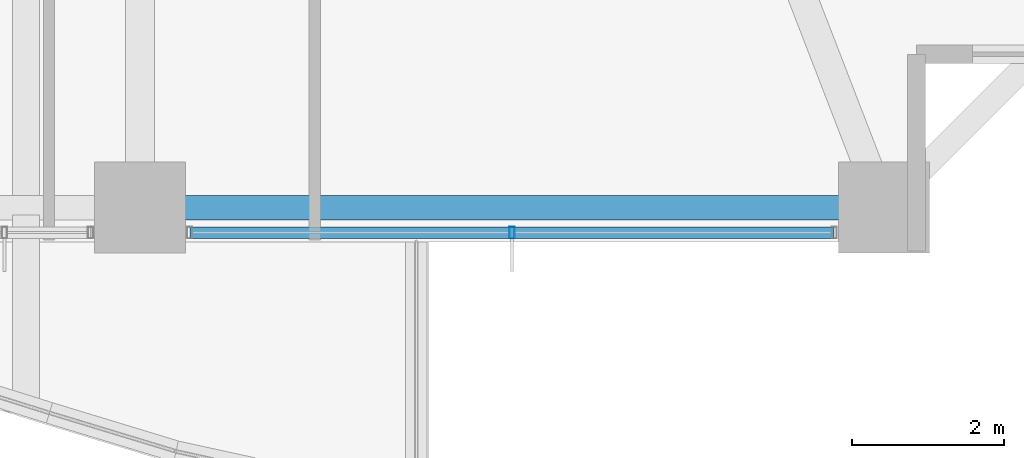
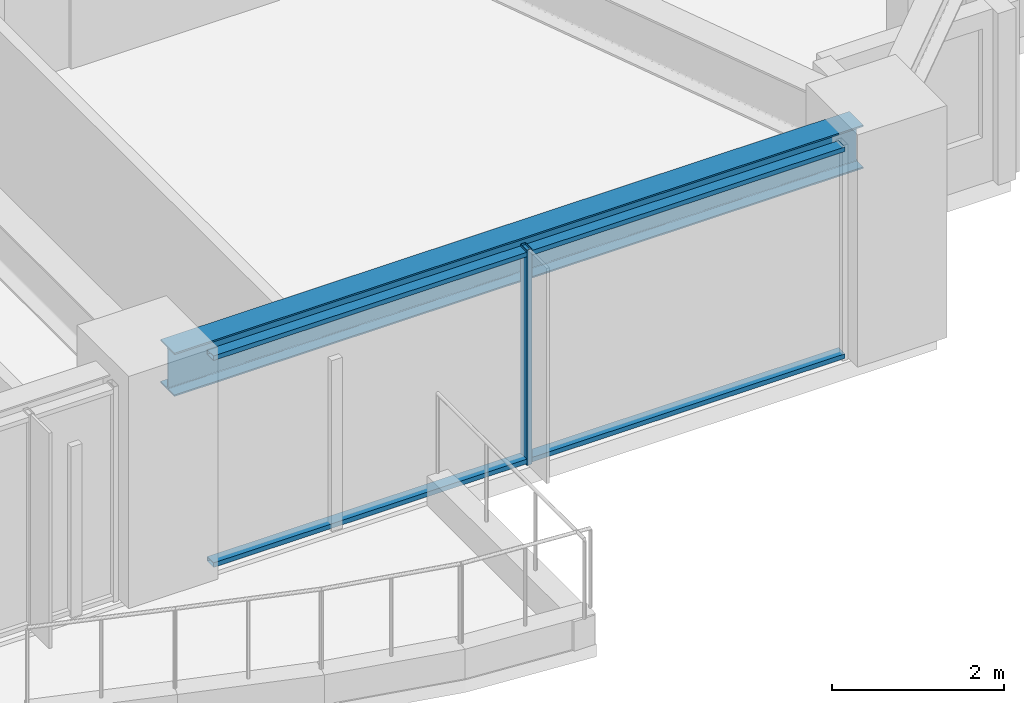
# One storey, part 6 of 38: 3 members, 1 beam, 1 element without a shape of its own.
"""IFC4 building model written with IfcOpenShell, lengths in metres."""

from ifc_helpers import new_model, si_unit, direction, frame, origin, origin_2d, place, context, subcontext, project, spatial, hollow_rectangle, i_section, extrude, material, material_profile, profile_set, type_object, element, aggregate, save


model = new_model("IFC4")

# Units and contexts
model_context = context("Model", 3, precision=1e-05, world=origin(), true_north=direction((0.0, 1.0)))
body_context = subcontext(model_context, "Body", "Model", "MODEL_VIEW")
ifc_project = project(units=[si_unit("LENGTHUNIT", "METRE"), si_unit("AREAUNIT", "SQUARE_METRE"), si_unit("VOLUMEUNIT", "CUBIC_METRE"), si_unit("PLANEANGLEUNIT", "RADIAN"), si_unit("MASSUNIT", "GRAM", prefix="KILO")], contexts=[model_context])

# Site, building, storey
site_placement = place(None, origin())
site = spatial("IfcSite", under=ifc_project, at=site_placement, CompositionType="ELEMENT")
building_placement = place(site_placement, origin())
building = spatial("IfcBuilding", under=site, at=building_placement, Name="Kolvaren Belvedere", CompositionType="ELEMENT")
storey_placement = place(building_placement, frame((0.0, 0.0, 27.10009765625)))
storey = spatial("IfcBuildingStorey", under=building, at=storey_placement, Name="L07", CompositionType="ELEMENT", Elevation=27.10009765625)

# Beam
ifc_material_1 = material(Name="Structural steel ASTM A992 Grade 50", Category="steel")
ifc_material_profile_1 = material_profile(ifc_material_1, i_section(OverallWidth=0.324951171875, OverallDepth=0.615966796875, WebThickness=0.013916015625, FlangeThickness=0.021484375, FilletRadius=0.02001953125, at=origin_2d()), Name="W24X117")
ifc_profile_set_1 = profile_set([ifc_material_profile_1], Name="Structural steel ASTM A992 Grade 50")
beam_type = type_object("IfcBeamType", Name="BM-SPAN-W24X117", PredefinedType="SPANDREL", material=ifc_profile_set_1)
beam_placement = place(storey_placement, frame((4.8701171875, -21.550048828125, 2.751953125), z_axis=(1.0, 0.0, 0.0), x_axis=(0.0, 1.0, 0.0)))
element("IfcBeam", 1, at=beam_placement, inside=storey, type_object=beam_type, Name="L07 Perimeter Spandrel S3-S4", PredefinedType="SPANDREL", context=body_context, shape_type="SweptSolid", body=[
    extrude(i_section(OverallWidth=0.324951171875, OverallDepth=0.615966796875, WebThickness=0.013916015625, FlangeThickness=0.021484375, FilletRadius=0.02001953125, at=origin_2d()), origin(), (0.0, 0.0, 1.0), 9.259765625),
])

# Curtain wall, members
ifc_material_2 = material(Name="Anodised pale-metal aluminium AA 6063-T6", Category="aluminium")
curtain_wall_type = type_object("IfcCurtainWallType", Name="CW-Z1-LOW", PredefinedType="NOTDEFINED", material=ifc_material_2)
curtain_wall_placement = place(storey_placement, origin())
curtain_wall = element("IfcCurtainWall", 2, at=curtain_wall_placement, inside=storey, type_object=curtain_wall_type, Name="L07 Unitised Curtain Wall FCW-L07-S1-B1", PredefinedType="NOTDEFINED")
ifc_material_3 = material(Name="Anodised pale-metal aluminium AA 6063-T6", Category="aluminium")
ifc_material_profile_2 = material_profile(ifc_material_3, hollow_rectangle(XDim=0.070068359375, YDim=0.14990234375, WallThickness=0.004150390625, at=origin_2d()), Name="ALU-MUL-150X70")
ifc_profile_set_2 = profile_set([ifc_material_profile_2], Name="Anodised pale-metal aluminium AA 6063-T6")
member_type_1 = type_object("IfcMemberType", Name="CW-MUL-150", PredefinedType="MULLION", material=ifc_profile_set_2)
member_1_placement = place(storey_placement, frame((9.5, -21.8798828125, 0.0), z_axis=(0.0, 0.0, 1.0), x_axis=(1.0, 0.0, 0.0)))
member_1 = element("IfcMember", 3, at=member_1_placement, type_object=member_type_1, Name="FCW-L07-S1-B1 Unitised Mullion 2", PredefinedType="MULLION", context=body_context, shape_type="SweptSolid", body=[
    extrude(hollow_rectangle(XDim=0.070068359375, YDim=0.14990234375, WallThickness=0.004150390625, at=origin_2d()), origin(), (0.0, 0.0, 1.0), 3.059814453125),
])
ifc_material_4 = material(Name="Anodised pale-metal aluminium AA 6063-T6", Category="aluminium")
ifc_material_profile_3 = material_profile(ifc_material_4, hollow_rectangle(XDim=0.06494140625, YDim=0.14990234375, WallThickness=0.00390625, at=origin_2d()), Name="ALU-TRN-150X65")
ifc_profile_set_3 = profile_set([ifc_material_profile_3], Name="Anodised pale-metal aluminium AA 6063-T6")
member_type_2 = type_object("IfcMemberType", Name="CW-TRN-150", PredefinedType="USERDEFINED", material=ifc_profile_set_3)
member_2_placement = place(storey_placement, frame((13.7451171875, -21.8798828125, 0.059814453125), z_axis=(-1.0, 0.0, 0.0), x_axis=(0.0, 0.0, 1.0)))
member_2 = element("IfcMember", 4, at=member_2_placement, type_object=member_type_2, Name="FCW-L07-S1-B1 Sill Transom", ObjectType="TRANSOM", PredefinedType="USERDEFINED", context=body_context, shape_type="SweptSolid", body=[
    extrude(hollow_rectangle(XDim=0.06494140625, YDim=0.14990234375, WallThickness=0.00390625, at=origin_2d()), origin(), (0.0, 0.0, 1.0), 8.490234375),
])
member_3_placement = place(storey_placement, frame((13.7451171875, -21.8798828125, 3.0), z_axis=(-1.0, 0.0, 0.0), x_axis=(0.0, 0.0, 1.0)))
member_3 = element("IfcMember", 5, at=member_3_placement, type_object=member_type_2, Name="FCW-L07-S1-B1 Head Transom", ObjectType="TRANSOM", PredefinedType="USERDEFINED", context=body_context, shape_type="SweptSolid", body=[
    extrude(hollow_rectangle(XDim=0.06494140625, YDim=0.14990234375, WallThickness=0.00390625, at=origin_2d()), origin(), (0.0, 0.0, 1.0), 8.490234375),
])
aggregate(curtain_wall, [member_1, member_2, member_3])

save(model, "model.ifc")
